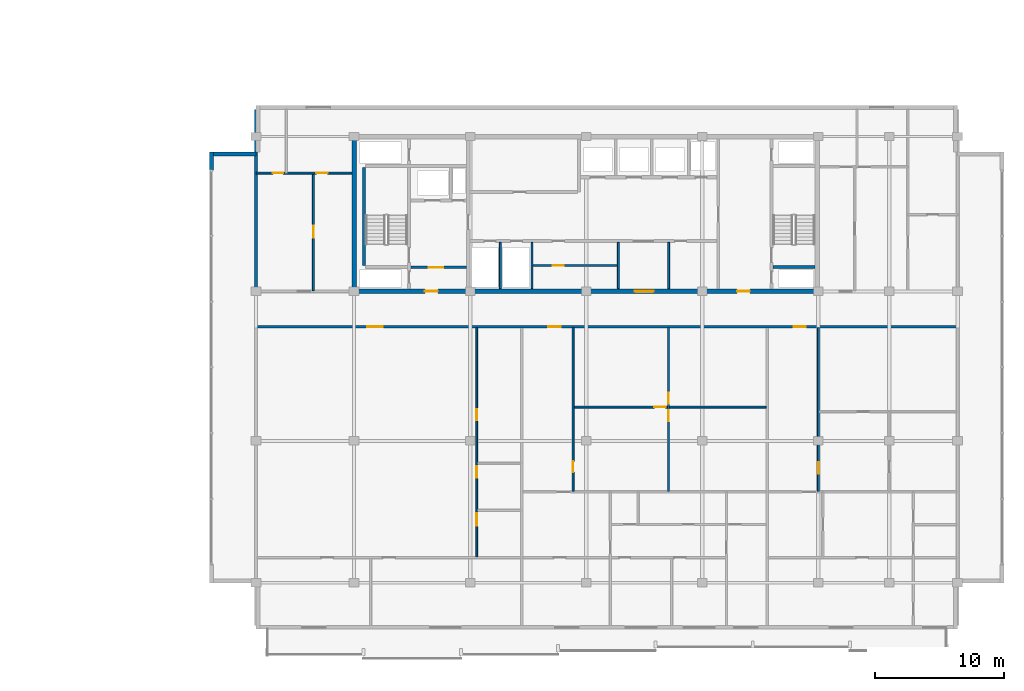
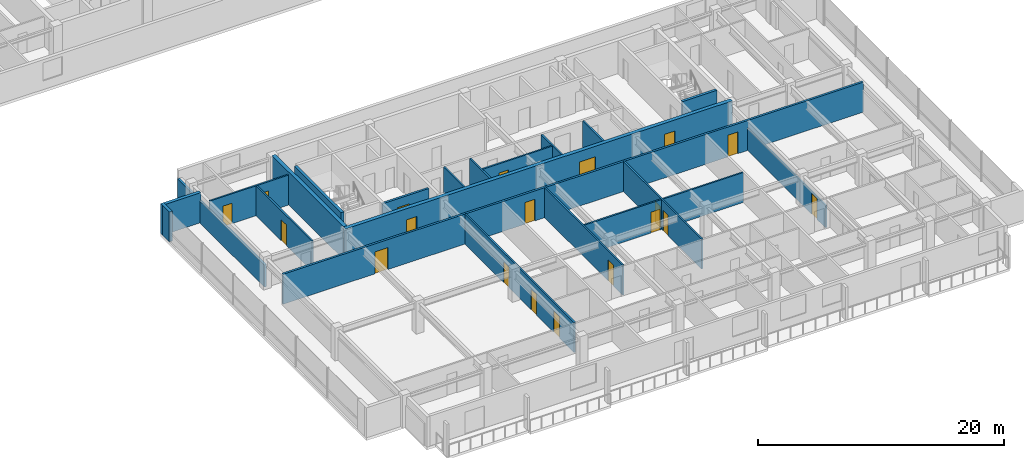
# One storey, part 14 of 30: 21 walls, 19 doors, 19 openings.
"""IFC4 building model written with IfcOpenShell, lengths in metres."""

from ifc_helpers import new_model, si_unit, direction, frame, frame_2d, origin, place, context, subcontext, project, spatial, rectangle, extrude, material, layer, layer_set, type_object, element, fill, save


model = new_model("IFC4")

# Units and contexts
model_context = context("Model", 3, precision=1e-05, world=origin(), true_north=direction((0.0, 1.0)))
body_context = subcontext(model_context, "Body", "Model", "MODEL_VIEW")
ifc_project = project(units=[si_unit("LENGTHUNIT", "METRE"), si_unit("AREAUNIT", "SQUARE_METRE"), si_unit("VOLUMEUNIT", "CUBIC_METRE"), si_unit("PLANEANGLEUNIT", "RADIAN"), si_unit("MASSUNIT", "GRAM", prefix="KILO")], contexts=[model_context])

# Site, building, storey
site_placement = place(None, origin())
site = spatial("IfcSite", under=ifc_project, at=site_placement, CompositionType="ELEMENT")
building_placement = place(site_placement, origin())
building = spatial("IfcBuilding", under=site, at=building_placement, Name="Korimba Cascade Residences", CompositionType="ELEMENT")
storey_placement = place(building_placement, frame((0.0, 0.0, 201.10009765625)))
storey = spatial("IfcBuildingStorey", under=building, at=storey_placement, Name="L58", CompositionType="ELEMENT", Elevation=201.10009765625)

# Walls
ifc_material_1 = material(Name="Precast concrete C40/50", Category="concrete")
ifc_layer_1 = layer(ifc_material_1, 0.300048828125)
ifc_layer_set_1 = layer_set([ifc_layer_1], Name="Precast concrete C40/50")
wall_type_1 = type_object("IfcWallType", Name="EW-STONE-300", PredefinedType="STANDARD", material=ifc_layer_set_1)
wall_1_placement = place(storey_placement, frame((74.5, 29.050048828125, 0.0), z_axis=(0.0, 0.0, 1.0), x_axis=(-1.0, 0.0, 0.0)))
element("IfcWall", 1, at=wall_1_placement, inside=storey, type_object=wall_type_1, Name="L58 T2 Perimeter Stone Wall E08", PredefinedType="STANDARD", context=body_context, shape_type="SweptSolid", body=[
    extrude(rectangle(XDim=3.60009765625, YDim=0.300048828125, at=frame_2d((1.800048828125, 0.0))), origin(), (0.0, 0.0, 1.0), 2.969970703125),
])
wall_2_placement = place(storey_placement, frame((71.050048828125, 29.199951171875, 0.0), z_axis=(0.0, 0.0, 1.0), x_axis=(0.0, -1.0, 0.0)))
element("IfcWall", 2, at=wall_2_placement, inside=storey, type_object=wall_type_1, Name="L58 T2 Sky Pier 9A", PredefinedType="STANDARD", context=body_context, shape_type="SweptSolid", body=[
    extrude(rectangle(XDim=1.39990234375, YDim=0.300048828125, at=frame_2d((0.699951171875, 0.0))), origin(), (0.0, 0.0, 1.0), 2.969970703125),
])
ifc_material_2 = material(Name="Concrete C65/80", Category="concrete")
ifc_layer_2 = layer(ifc_material_2, 0.35009765625)
ifc_layer_set_2 = layer_set([ifc_layer_2], Name="Concrete C65/80")
wall_type_2 = type_object("IfcWallType", Name="WAL-CORE-350", PredefinedType="SHEAR", material=ifc_layer_set_2)
wall_3_placement = place(storey_placement, frame((82.10009765625, 18.574951171875, 0.0), z_axis=(0.0, 0.0, 1.0), x_axis=(0.0, 1.0, 0.0)))
element("IfcWall", 3, at=wall_3_placement, inside=storey, type_object=wall_type_2, Name="L58 Core Shear Wall CW-L58-T2-W", PredefinedType="SHEAR", context=body_context, shape_type="SweptSolid", body=[
    extrude(rectangle(XDim=11.650146484375, YDim=0.35009765625, at=frame_2d((5.8251953125, 0.0))), origin(), (0.0, 0.0, 1.0), 3.25),
])

# Wall, openings, doors
wall_4_placement = place(storey_placement, frame((81.925048828125, 18.39990234375, 0.0), z_axis=(0.0, 0.0, 1.0), x_axis=(1.0, 0.0, 0.0)))
wall_4 = element("IfcWall", 4, at=wall_4_placement, inside=storey, type_object=wall_type_2, Name="L58 Core Shear Wall CW-L58-T2-S", PredefinedType="SHEAR", context=body_context, shape_type="SweptSolid", body=[
    extrude(rectangle(XDim=36.264892578125, YDim=0.35009765625, at=frame_2d((18.13232421875, 0.0))), origin(), (0.0, 0.0, 1.0), 3.25),
])
opening_1_placement = place(wall_4_placement, frame((5.675048828125, 0.0, 0.0)))
opening_1 = element("IfcOpeningElement", 5, at=opening_1_placement, cuts=wall_4, Name="Opening D-FD5", PredefinedType="OPENING", context=body_context, shape_type="SweptSolid", body=[
    extrude(rectangle(XDim=1.0, YDim=2.14990234375, at=frame_2d((0.5, 1.074951171875))), frame((0.0, 0.18505859375, 0.0), z_axis=(0.0, -1.0, 0.0), x_axis=(1.0, 0.0, 0.0)), (0.0, 0.0, 1.0), 0.3701171875),
])
opening_2_placement = place(wall_4_placement, frame((21.925048828125, 0.0, 0.0)))
opening_2 = element("IfcOpeningElement", 6, at=opening_2_placement, cuts=wall_4, Name="Opening D-FD8", PredefinedType="OPENING", context=body_context, shape_type="SweptSolid", body=[
    extrude(rectangle(XDim=1.5, YDim=2.199951171875, at=frame_2d((0.75, 1.10009765625))), frame((0.0, 0.18505859375, 0.0), z_axis=(0.0, -1.0, 0.0), x_axis=(1.0, 0.0, 0.0)), (0.0, 0.0, 1.0), 0.3701171875),
])
opening_3_placement = place(wall_4_placement, frame((29.875, 0.0, 0.0)))
opening_3 = element("IfcOpeningElement", 7, at=opening_3_placement, cuts=wall_4, Name="Opening D-FD5", PredefinedType="OPENING", context=body_context, shape_type="SweptSolid", body=[
    extrude(rectangle(XDim=1.0, YDim=2.14990234375, at=frame_2d((0.5, 1.074951171875))), frame((0.0, 0.18505859375, 0.0), z_axis=(0.0, -1.0, 0.0), x_axis=(1.0, 0.0, 0.0)), (0.0, 0.0, 1.0), 0.3701171875),
])
ifc_material_3 = material(Name="Fire-Rated Acoustic Timber Vestibule Door", Category="wood")
door_type_1 = type_object("IfcDoorType", Name="DR-FD90-1000", OperationType="NOTDEFINED", PredefinedType="DOOR", material=ifc_material_3)
door_1_placement = place(opening_1_placement, origin())
door_1 = element("IfcDoor", 8, at=door_1_placement, inside=storey, type_object=door_type_1, Name="L58 T2 West Core Vestibule Fire Door", OperationType="SINGLE_SWING_LEFT", OverallHeight=2.14990234375, OverallWidth=1.0, PredefinedType="DOOR", context=body_context, shape_type="SweptSolid", body=[
    extrude(rectangle(XDim=1.0, YDim=2.14990234375, at=frame_2d((0.5, 1.074951171875))), frame((0.0, 0.02490234375, 0.0), z_axis=(0.0, -1.0, 0.0), x_axis=(1.0, 0.0, 0.0)), (0.0, 0.0, 1.0), 0.050048828125),
])
fill(opening_1, door_1)
door_2_placement = place(opening_3_placement, origin())
door_2 = element("IfcDoor", 9, at=door_2_placement, inside=storey, type_object=door_type_1, Name="L58 T2 East Stair Vestibule Fire Door", OperationType="SINGLE_SWING_RIGHT", OverallHeight=2.14990234375, OverallWidth=1.0, PredefinedType="DOOR", context=body_context, shape_type="SweptSolid", body=[
    extrude(rectangle(XDim=1.0, YDim=2.14990234375, at=frame_2d((0.5, 1.074951171875))), frame((0.0, 0.02490234375, 0.0), z_axis=(0.0, -1.0, 0.0), x_axis=(1.0, 0.0, 0.0)), (0.0, 0.0, 1.0), 0.050048828125),
])
fill(opening_3, door_2)
ifc_material_4 = material(Name="Fire-Rated Glazed Lift Lobby Double Door", Category="glass")
door_type_2 = type_object("IfcDoorType", Name="DR-FD90-1500", OperationType="NOTDEFINED", PredefinedType="DOOR", material=ifc_material_4)
door_3_placement = place(opening_2_placement, origin())
door_3 = element("IfcDoor", 10, at=door_3_placement, inside=storey, type_object=door_type_2, Name="L58 T2 Lift Lobby Fire Door", OperationType="DOUBLE_DOOR_SINGLE_SWING", OverallHeight=2.199951171875, OverallWidth=1.5, PredefinedType="DOOR", context=body_context, shape_type="SweptSolid", body=[
    extrude(rectangle(XDim=1.5, YDim=2.199951171875, at=frame_2d((0.75, 1.10009765625))), frame((0.0, 0.02490234375, 0.0), z_axis=(0.0, -1.0, 0.0), x_axis=(1.0, 0.0, 0.0)), (0.0, 0.0, 1.0), 0.050048828125),
])
fill(opening_2, door_3)

# Wall
ifc_layer_3 = layer(ifc_material_1, 0.199951171875)
ifc_layer_set_3 = layer_set([ifc_layer_3], Name="Precast concrete C40/50")
wall_type_3 = type_object("IfcWallType", Name="WAL-IT-200", PredefinedType="PARTITIONING", material=ifc_layer_set_3)
wall_5_placement = place(storey_placement, frame((74.5, 18.39990234375, 0.0), z_axis=(0.0, 0.0, 1.0), x_axis=(0.0, 1.0, 0.0)))
element("IfcWall", 11, at=wall_5_placement, inside=storey, type_object=wall_type_3, Name="L58 Partition Wall WAL-L58-T2-FW-WL", PredefinedType="PARTITIONING", context=body_context, shape_type="SweptSolid", body=[
    extrude(rectangle(XDim=14.10009765625, YDim=0.199951171875, at=frame_2d((7.050048828125, 0.0))), origin(), (0.0, 0.0, 1.0), 2.2001953125),
])

# Wall, openings, doors
wall_6_placement = place(storey_placement, frame((74.5, 15.64990234375, 0.0), z_axis=(0.0, 0.0, 1.0), x_axis=(1.0, 0.0, 0.0)))
wall_6 = element("IfcWall", 12, at=wall_6_placement, inside=storey, type_object=wall_type_3, Name="L58 Partition Wall WAL-L58-T2-CORS", PredefinedType="PARTITIONING", context=body_context, shape_type="SweptSolid", body=[
    extrude(rectangle(XDim=54.39990234375, YDim=0.199951171875, at=frame_2d((27.199951171875, 0.0))), origin(), (0.0, 0.0, 1.0), 2.969970703125),
])
opening_4_placement = place(wall_6_placement, frame((8.618408203125, 0.0, 0.0)))
opening_4 = element("IfcOpeningElement", 13, at=opening_4_placement, cuts=wall_6, Name="Opening D-AM1", PredefinedType="OPENING", context=body_context, shape_type="SweptSolid", body=[
    extrude(rectangle(XDim=1.219970703125, YDim=2.179931640625, at=frame_2d((0.60986328125, 1.08984375))), frame((0.0, 0.10986328125, 0.0), z_axis=(0.0, -1.0, 0.0), x_axis=(1.0, 0.0, 0.0)), (0.0, 0.0, 1.0), 0.219970703125),
])
opening_5_placement = place(wall_6_placement, frame((22.66162109375, 0.0, 0.0)))
opening_5 = element("IfcOpeningElement", 14, at=opening_5_placement, cuts=wall_6, Name="Opening D-UN1", PredefinedType="OPENING", context=body_context, shape_type="SweptSolid", body=[
    extrude(rectangle(XDim=0.949951171875, YDim=2.14990234375, at=frame_2d((0.47509765625, 1.074951171875))), frame((0.0, 0.10986328125, 0.0), z_axis=(0.0, -1.0, 0.0), x_axis=(1.0, 0.0, 0.0)), (0.0, 0.0, 1.0), 0.219970703125),
])
opening_6_placement = place(wall_6_placement, frame((41.686767578125, 0.0, 0.0)))
opening_6 = element("IfcOpeningElement", 15, at=opening_6_placement, cuts=wall_6, Name="Opening D-UN1", PredefinedType="OPENING", context=body_context, shape_type="SweptSolid", body=[
    extrude(rectangle(XDim=0.949951171875, YDim=2.14990234375, at=frame_2d((0.47509765625, 1.074951171875))), frame((0.0, 0.10986328125, 0.0), z_axis=(0.0, -1.0, 0.0), x_axis=(1.0, 0.0, 0.0)), (0.0, 0.0, 1.0), 0.219970703125),
])
ifc_material_5 = material(Name="Fire-Rated Glazed Timber Suite Door", Category="wood")
door_type_3 = type_object("IfcDoorType", Name="DR-FD60-1200", OperationType="NOTDEFINED", PredefinedType="DOOR", material=ifc_material_5)
door_4_placement = place(opening_4_placement, origin())
door_4 = element("IfcDoor", 16, at=door_4_placement, inside=storey, type_object=door_type_3, Name="L58-T2-U01 Promenade Design Showroom Door", OperationType="SINGLE_SWING_LEFT", OverallHeight=2.179931640625, OverallWidth=1.219970703125, PredefinedType="DOOR", context=body_context, shape_type="SweptSolid", body=[
    extrude(rectangle(XDim=1.219970703125, YDim=2.179931640625, at=frame_2d((0.60986328125, 1.08984375))), frame((0.0, 0.02490234375, 0.0), z_axis=(0.0, -1.0, 0.0), x_axis=(1.0, 0.0, 0.0)), (0.0, 0.0, 1.0), 0.050048828125),
])
fill(opening_4, door_4)
ifc_material_6 = material(Name="Fire-Rated Hardwood Apartment Entrance Door", Category="wood")
door_type_4 = type_object("IfcDoorType", Name="DR-FD60-950", OperationType="NOTDEFINED", PredefinedType="DOOR", material=ifc_material_6)
door_5_placement = place(opening_5_placement, origin())
door_5 = element("IfcDoor", 17, at=door_5_placement, inside=storey, type_object=door_type_4, Name="Unit L58-T2-U02 Entrance Door", OperationType="SINGLE_SWING_RIGHT", OverallHeight=2.14990234375, OverallWidth=0.949951171875, PredefinedType="DOOR", context=body_context, shape_type="SweptSolid", body=[
    extrude(rectangle(XDim=0.949951171875, YDim=2.14990234375, at=frame_2d((0.47509765625, 1.074951171875))), frame((0.0, 0.02490234375, 0.0), z_axis=(0.0, -1.0, 0.0), x_axis=(1.0, 0.0, 0.0)), (0.0, 0.0, 1.0), 0.050048828125),
])
fill(opening_5, door_5)
door_6_placement = place(opening_6_placement, origin())
door_6 = element("IfcDoor", 18, at=door_6_placement, inside=storey, type_object=door_type_4, Name="Unit L58-T2-U03 Entrance Door", OperationType="SINGLE_SWING_LEFT", OverallHeight=2.14990234375, OverallWidth=0.949951171875, PredefinedType="DOOR", context=body_context, shape_type="SweptSolid", body=[
    extrude(rectangle(XDim=0.949951171875, YDim=2.14990234375, at=frame_2d((0.47509765625, 1.074951171875))), frame((0.0, 0.02490234375, 0.0), z_axis=(0.0, -1.0, 0.0), x_axis=(1.0, 0.0, 0.0)), (0.0, 0.0, 1.0), 0.050048828125),
])
fill(opening_6, door_6)

# Walls
ifc_material_7 = material(Name="Insulated Acoustic Stud Partition", Category="gypsum")
ifc_layer_4 = layer(ifc_material_7, 0.14990234375)
ifc_layer_set_4 = layer_set([ifc_layer_4], Name="Insulated Acoustic Stud Partition")
wall_type_4 = type_object("IfcWallType", Name="WAL-PART-150", PredefinedType="PARTITIONING", material=ifc_layer_set_4)
for number, where, z_axis, x_axis, name in (
    (19, (93.449951171875, 18.60009765625, 0.0), (0.0, 0.0, 1.0), (0.0, 1.0, 0.0), "L58 Partition Wall CW-L58-T2-ERDIV"),
    (20, (95.89990234375, 18.60009765625, 0.0), (0.0, 0.0, 1.0), (0.0, 1.0, 0.0), "L58 Partition Wall CW-L58-T2-PRDIV"),
):
    element("IfcWall", number, at=place(storey_placement, frame(where, z_axis=z_axis, x_axis=x_axis)), inside=storey, type_object=wall_type_4, Name=name, PredefinedType="PARTITIONING", context=body_context, shape_type="SweptSolid", body=[
        extrude(rectangle(XDim=3.599853515625, YDim=0.14990234375, at=frame_2d((1.7998046875, 0.0))), origin(), (0.0, 0.0, 1.0), 2.969970703125),
    ])

# Wall, opening, door
wall_7_placement = place(storey_placement, frame((95.89990234375, 20.39990234375, 0.0), z_axis=(0.0, 0.0, 1.0), x_axis=(1.0, 0.0, 0.0)))
wall_7 = element("IfcWall", 21, at=wall_7_placement, inside=storey, type_object=wall_type_4, Name="L58 Partition Wall CW-L58-T2-CA2HZ", PredefinedType="PARTITIONING", context=body_context, shape_type="SweptSolid", body=[
    extrude(rectangle(XDim=6.7001953125, YDim=0.14990234375, at=frame_2d((3.35009765625, 0.0))), origin(), (0.0, 0.0, 1.0), 2.969970703125),
])
opening_7_placement = place(wall_7_placement, frame((1.60009765625, 0.0, 0.0)))
opening_7 = element("IfcOpeningElement", 22, at=opening_7_placement, cuts=wall_7, Name="Opening D-IN2", PredefinedType="OPENING", context=body_context, shape_type="SweptSolid", body=[
    extrude(rectangle(XDim=0.8798828125, YDim=2.06005859375, at=frame_2d((0.43994140625, 1.030029296875))), frame((0.0, 0.0849609375, 0.0), z_axis=(0.0, -1.0, 0.0), x_axis=(1.0, 0.0, 0.0)), (0.0, 0.0, 1.0), 0.169921875),
])
ifc_material_8 = material(Name="Acoustic Timber Bedroom Door", Category="wood")
door_type_5 = type_object("IfcDoorType", Name="DR-INT-880", OperationType="NOTDEFINED", PredefinedType="DOOR", material=ifc_material_8)
door_7_placement = place(opening_7_placement, origin())
door_7 = element("IfcDoor", 23, at=door_7_placement, inside=storey, type_object=door_type_5, Name="L58 T2 Pram Store Door", OperationType="SINGLE_SWING_LEFT", OverallHeight=2.06005859375, OverallWidth=0.8798828125, PredefinedType="DOOR", context=body_context, shape_type="SweptSolid", body=[
    extrude(rectangle(XDim=0.8798828125, YDim=2.06005859375, at=frame_2d((0.43994140625, 1.030029296875))), frame((0.0, 0.02490234375, 0.0), z_axis=(0.0, -1.0, 0.0), x_axis=(1.0, 0.0, 0.0)), (0.0, 0.0, 1.0), 0.050048828125),
])
fill(opening_7, door_7)

# Walls
for number, where, z_axis, x_axis, name in (
    (24, (102.60009765625, 18.60009765625, 0.0), (0.0, 0.0, 1.0), (0.0, 1.0, 0.0), "L58 Partition Wall CW-L58-T2-THW"),
    (25, (106.5, 18.60009765625, 0.0), (0.0, 0.0, 1.0), (0.0, 1.0, 0.0), "L58 Partition Wall CW-L58-T2-THE"),
):
    element("IfcWall", number, at=place(storey_placement, frame(where, z_axis=z_axis, x_axis=x_axis)), inside=storey, type_object=wall_type_4, Name=name, PredefinedType="PARTITIONING", context=body_context, shape_type="SweptSolid", body=[
        extrude(rectangle(XDim=3.599853515625, YDim=0.14990234375, at=frame_2d((1.7998046875, 0.0))), origin(), (0.0, 0.0, 1.0), 2.969970703125),
    ])

# Wall, opening, door
wall_8_placement = place(storey_placement, frame((78.945068359375, 18.449951171875, 0.0), z_axis=(0.0, 0.0, 1.0), x_axis=(0.0, 1.0, 0.0)))
wall_8 = element("IfcWall", 26, at=wall_8_placement, inside=storey, type_object=wall_type_4, Name="L58 Partition Wall WAL-L58-T2-FW-VS", PredefinedType="PARTITIONING", context=body_context, shape_type="SweptSolid", body=[
    extrude(rectangle(XDim=9.1201171875, YDim=0.14990234375, at=frame_2d((4.56005859375, 0.0))), origin(), (0.0, 0.0, 1.0), 2.969970703125),
])
opening_8_placement = place(wall_8_placement, frame((4.10009765625, 0.0, 0.0)))
opening_8 = element("IfcOpeningElement", 27, at=opening_8_placement, cuts=wall_8, Name="Opening D-IN1", PredefinedType="OPENING", context=body_context, shape_type="SweptSolid", body=[
    extrude(rectangle(XDim=0.919921875, YDim=2.080078125, at=frame_2d((0.4599609375, 1.0400390625))), frame((0.0, 0.0849609375, 0.0), z_axis=(0.0, -1.0, 0.0), x_axis=(1.0, 0.0, 0.0)), (0.0, 0.0, 1.0), 0.169921875),
])
ifc_material_9 = material(Name="Acoustic Timber Living Door", Category="wood")
door_type_6 = type_object("IfcDoorType", Name="DR-INT-920", OperationType="NOTDEFINED", PredefinedType="DOOR", material=ifc_material_9)
door_8_placement = place(opening_8_placement, origin())
door_8 = element("IfcDoor", 28, at=door_8_placement, inside=storey, type_object=door_type_6, Name="L58-T2-FW Living Door", OperationType="SINGLE_SWING_RIGHT", OverallHeight=2.080078125, OverallWidth=0.919921875, PredefinedType="DOOR", context=body_context, shape_type="SweptSolid", body=[
    extrude(rectangle(XDim=0.919921875, YDim=2.080078125, at=frame_2d((0.4599609375, 1.0400390625))), frame((0.0, 0.02490234375, 0.0), z_axis=(0.0, -1.0, 0.0), x_axis=(1.0, 0.0, 0.0)), (0.0, 0.0, 1.0), 0.050048828125),
])
fill(opening_8, door_8)

# Wall, openings, doors
wall_9_placement = place(storey_placement, frame((74.52001953125, 27.570068359375, 0.0), z_axis=(0.0, 0.0, 1.0), x_axis=(1.0, 0.0, 0.0)))
wall_9 = element("IfcWall", 29, at=wall_9_placement, inside=storey, type_object=wall_type_4, Name="L58 Partition Wall WAL-L58-T2-FW-H", PredefinedType="PARTITIONING", context=body_context, shape_type="SweptSolid", body=[
    extrude(rectangle(XDim=7.409912109375, YDim=0.14990234375, at=frame_2d((3.705078125, 0.0))), origin(), (0.0, 0.0, 1.0), 2.969970703125),
])
opening_9_placement = place(wall_9_placement, frame((1.266357421875, 0.0, 0.0)))
opening_9 = element("IfcOpeningElement", 30, at=opening_9_placement, cuts=wall_9, Name="Opening D-BT1", PredefinedType="OPENING", context=body_context, shape_type="SweptSolid", body=[
    extrude(rectangle(XDim=0.840087890625, YDim=2.0400390625, at=frame_2d((0.419921875, 1.02001953125))), frame((0.0, 0.0849609375, 0.0), z_axis=(0.0, -1.0, 0.0), x_axis=(1.0, 0.0, 0.0)), (0.0, 0.0, 1.0), 0.169921875),
])
opening_10_placement = place(wall_9_placement, frame((4.64501953125, 0.0, 0.0)))
opening_10 = element("IfcOpeningElement", 31, at=opening_10_placement, cuts=wall_9, Name="Opening D-IN2", PredefinedType="OPENING", context=body_context, shape_type="SweptSolid", body=[
    extrude(rectangle(XDim=0.8798828125, YDim=2.06005859375, at=frame_2d((0.43994140625, 1.030029296875))), frame((0.0, 0.0849609375, 0.0), z_axis=(0.0, -1.0, 0.0), x_axis=(1.0, 0.0, 0.0)), (0.0, 0.0, 1.0), 0.169921875),
])
ifc_material_10 = material(Name="Moisture-Resistant Bathroom Timber Door", Category="wood")
door_type_7 = type_object("IfcDoorType", Name="DR-INT-850", OperationType="NOTDEFINED", PredefinedType="DOOR", material=ifc_material_10)
door_9_placement = place(opening_9_placement, origin())
door_9 = element("IfcDoor", 32, at=door_9_placement, inside=storey, type_object=door_type_7, Name="L58-T2-FW Bathroom Door", OperationType="SINGLE_SWING_LEFT", OverallHeight=2.0400390625, OverallWidth=0.840087890625, PredefinedType="DOOR", context=body_context, shape_type="SweptSolid", body=[
    extrude(rectangle(XDim=0.840087890625, YDim=2.0400390625, at=frame_2d((0.419921875, 1.02001953125))), frame((0.0, 0.02490234375, 0.0), z_axis=(0.0, -1.0, 0.0), x_axis=(1.0, 0.0, 0.0)), (0.0, 0.0, 1.0), 0.050048828125),
])
fill(opening_9, door_9)
door_10_placement = place(opening_10_placement, origin())
door_10 = element("IfcDoor", 33, at=door_10_placement, inside=storey, type_object=door_type_5, Name="L58-T2-FW Bedroom Door", OperationType="SINGLE_SWING_RIGHT", OverallHeight=2.06005859375, OverallWidth=0.8798828125, PredefinedType="DOOR", context=body_context, shape_type="SweptSolid", body=[
    extrude(rectangle(XDim=0.8798828125, YDim=2.06005859375, at=frame_2d((0.43994140625, 1.030029296875))), frame((0.0, 0.02490234375, 0.0), z_axis=(0.0, -1.0, 0.0), x_axis=(1.0, 0.0, 0.0)), (0.0, 0.0, 1.0), 0.050048828125),
])
fill(opening_10, door_10)

wall_10_placement = place(storey_placement, frame((91.61669921875, -2.18994140625, 0.0), z_axis=(0.0, 0.0, 1.0), x_axis=(0.0, 1.0, 0.0)))
wall_10 = element("IfcWall", 34, at=wall_10_placement, inside=storey, type_object=wall_type_4, Name="L58 Partition Wall WAL-L58-T2-U01-WCV", PredefinedType="PARTITIONING", context=body_context, shape_type="SweptSolid", body=[
    extrude(rectangle(XDim=17.780029296875, YDim=0.14990234375, at=frame_2d((8.89013671875, 0.0))), origin(), (0.0, 0.0, 1.0), 2.969970703125),
])
opening_11_placement = place(wall_10_placement, frame((2.406005859375, 0.0, 0.0)))
opening_11 = element("IfcOpeningElement", 35, at=opening_11_placement, cuts=wall_10, Name="Opening D-AC1", PredefinedType="OPENING", context=body_context, shape_type="SweptSolid", body=[
    extrude(rectangle(XDim=0.9599609375, YDim=2.10009765625, at=frame_2d((0.47998046875, 1.050048828125))), frame((0.0, 0.0849609375, 0.0), z_axis=(0.0, -1.0, 0.0), x_axis=(1.0, 0.0, 0.0)), (0.0, 0.0, 1.0), 0.169921875),
])
opening_12_placement = place(wall_10_placement, frame((6.132568359375, 0.0, 0.0)))
opening_12 = element("IfcOpeningElement", 36, at=opening_12_placement, cuts=wall_10, Name="Opening D-IN2", PredefinedType="OPENING", context=body_context, shape_type="SweptSolid", body=[
    extrude(rectangle(XDim=0.8798828125, YDim=2.06005859375, at=frame_2d((0.43994140625, 1.030029296875))), frame((0.0, 0.0849609375, 0.0), z_axis=(0.0, -1.0, 0.0), x_axis=(1.0, 0.0, 0.0)), (0.0, 0.0, 1.0), 0.169921875),
])
opening_13_placement = place(wall_10_placement, frame((10.5947265625, 0.0, 0.0)))
opening_13 = element("IfcOpeningElement", 37, at=opening_13_placement, cuts=wall_10, Name="Opening D-BT1", PredefinedType="OPENING", context=body_context, shape_type="SweptSolid", body=[
    extrude(rectangle(XDim=0.840087890625, YDim=2.0400390625, at=frame_2d((0.419921875, 1.02001953125))), frame((0.0, 0.0849609375, 0.0), z_axis=(0.0, -1.0, 0.0), x_axis=(1.0, 0.0, 0.0)), (0.0, 0.0, 1.0), 0.169921875),
])
ifc_material_11 = material(Name="Accessible Acoustic Timber WC Door", Category="wood")
door_type_8 = type_object("IfcDoorType", Name="DR-ACC-950", OperationType="NOTDEFINED", PredefinedType="DOOR", material=ifc_material_11)
door_11_placement = place(opening_11_placement, origin())
door_11 = element("IfcDoor", 38, at=door_11_placement, inside=storey, type_object=door_type_8, Name="L58-T2-U01 Accessible WC Door", OperationType="SINGLE_SWING_RIGHT", OverallHeight=2.10009765625, OverallWidth=0.9599609375, PredefinedType="DOOR", context=body_context, shape_type="SweptSolid", body=[
    extrude(rectangle(XDim=0.9599609375, YDim=2.10009765625, at=frame_2d((0.47998046875, 1.050048828125))), frame((0.0, 0.02490234375, 0.0), z_axis=(0.0, -1.0, 0.0), x_axis=(1.0, 0.0, 0.0)), (0.0, 0.0, 1.0), 0.050048828125),
])
fill(opening_11, door_11)
door_12_placement = place(opening_13_placement, origin())
door_12 = element("IfcDoor", 39, at=door_12_placement, inside=storey, type_object=door_type_7, Name="L58-T2-U01 Suite Store Door", OperationType="SINGLE_SWING_RIGHT", OverallHeight=2.0400390625, OverallWidth=0.840087890625, PredefinedType="DOOR", context=body_context, shape_type="SweptSolid", body=[
    extrude(rectangle(XDim=0.840087890625, YDim=2.0400390625, at=frame_2d((0.419921875, 1.02001953125))), frame((0.0, 0.02490234375, 0.0), z_axis=(0.0, -1.0, 0.0), x_axis=(1.0, 0.0, 0.0)), (0.0, 0.0, 1.0), 0.050048828125),
])
fill(opening_13, door_12)
door_13_placement = place(opening_12_placement, origin())
door_13 = element("IfcDoor", 40, at=door_13_placement, inside=storey, type_object=door_type_5, Name="L58-T2-U01 Restroom WC Door", OperationType="SINGLE_SWING_LEFT", OverallHeight=2.06005859375, OverallWidth=0.8798828125, PredefinedType="DOOR", context=body_context, shape_type="SweptSolid", body=[
    extrude(rectangle(XDim=0.8798828125, YDim=2.06005859375, at=frame_2d((0.43994140625, 1.030029296875))), frame((0.0, 0.02490234375, 0.0), z_axis=(0.0, -1.0, 0.0), x_axis=(1.0, 0.0, 0.0)), (0.0, 0.0, 1.0), 0.050048828125),
])
fill(opening_12, door_13)

wall_11_placement = place(storey_placement, frame((106.484130859375, 2.889892578125, 0.0), z_axis=(0.0, 0.0, 1.0), x_axis=(0.0, 1.0, 0.0)))
wall_11 = element("IfcWall", 41, at=wall_11_placement, inside=storey, type_object=wall_type_4, Name="L58 Partition Wall WAL-L58-T2-U02-FMV", PredefinedType="PARTITIONING", context=body_context, shape_type="SweptSolid", body=[
    extrude(rectangle(XDim=12.7001953125, YDim=0.14990234375, at=frame_2d((6.35009765625, 0.0))), origin(), (0.0, 0.0, 1.0), 2.969970703125),
])
opening_14_placement = place(wall_11_placement, frame((5.43994140625, 0.0, 0.0)))
opening_14 = element("IfcOpeningElement", 42, at=opening_14_placement, cuts=wall_11, Name="Opening D-BT1", PredefinedType="OPENING", context=body_context, shape_type="SweptSolid", body=[
    extrude(rectangle(XDim=0.840087890625, YDim=2.0400390625, at=frame_2d((0.419921875, 1.02001953125))), frame((0.0, 0.0849609375, 0.0), z_axis=(0.0, -1.0, 0.0), x_axis=(1.0, 0.0, 0.0)), (0.0, 0.0, 1.0), 0.169921875),
])
opening_15_placement = place(wall_11_placement, frame((6.780029296875, 0.0, 0.0)))
opening_15 = element("IfcOpeningElement", 43, at=opening_15_placement, cuts=wall_11, Name="Opening D-IN2", PredefinedType="OPENING", context=body_context, shape_type="SweptSolid", body=[
    extrude(rectangle(XDim=0.8798828125, YDim=2.06005859375, at=frame_2d((0.43994140625, 1.030029296875))), frame((0.0, 0.0849609375, 0.0), z_axis=(0.0, -1.0, 0.0), x_axis=(1.0, 0.0, 0.0)), (0.0, 0.0, 1.0), 0.169921875),
])
door_14_placement = place(opening_14_placement, origin())
door_14 = element("IfcDoor", 44, at=door_14_placement, inside=storey, type_object=door_type_7, Name="L58-T2-U02 Wardrobe Door", OperationType="SINGLE_SWING_LEFT", OverallHeight=2.0400390625, OverallWidth=0.840087890625, PredefinedType="DOOR", context=body_context, shape_type="SweptSolid", body=[
    extrude(rectangle(XDim=0.840087890625, YDim=2.0400390625, at=frame_2d((0.419921875, 1.02001953125))), frame((0.0, 0.02490234375, 0.0), z_axis=(0.0, -1.0, 0.0), x_axis=(1.0, 0.0, 0.0)), (0.0, 0.0, 1.0), 0.050048828125),
])
fill(opening_14, door_14)
door_15_placement = place(opening_15_placement, origin())
door_15 = element("IfcDoor", 45, at=door_15_placement, inside=storey, type_object=door_type_5, Name="L58-T2-U02 Music Lounge Door", OperationType="SINGLE_SWING_RIGHT", OverallHeight=2.06005859375, OverallWidth=0.8798828125, PredefinedType="DOOR", context=body_context, shape_type="SweptSolid", body=[
    extrude(rectangle(XDim=0.8798828125, YDim=2.06005859375, at=frame_2d((0.43994140625, 1.030029296875))), frame((0.0, 0.02490234375, 0.0), z_axis=(0.0, -1.0, 0.0), x_axis=(1.0, 0.0, 0.0)), (0.0, 0.0, 1.0), 0.050048828125),
])
fill(opening_15, door_15)

# Wall, opening, door
wall_12_placement = place(storey_placement, frame((99.146728515625, 9.419921875, 0.0), z_axis=(0.0, 0.0, 1.0), x_axis=(1.0, 0.0, 0.0)))
wall_12 = element("IfcWall", 46, at=wall_12_placement, inside=storey, type_object=wall_type_4, Name="L58 Partition Wall WAL-L58-T2-U02-FMH", PredefinedType="PARTITIONING", context=body_context, shape_type="SweptSolid", body=[
    extrude(rectangle(XDim=14.9150390625, YDim=0.14990234375, at=frame_2d((7.45751953125, 0.0))), origin(), (0.0, 0.0, 1.0), 2.969970703125),
])
opening_16_placement = place(wall_12_placement, frame((6.237548828125, 0.0, 0.0)))
opening_16 = element("IfcOpeningElement", 47, at=opening_16_placement, cuts=wall_12, Name="Opening D-IN2", PredefinedType="OPENING", context=body_context, shape_type="SweptSolid", body=[
    extrude(rectangle(XDim=0.8798828125, YDim=2.06005859375, at=frame_2d((0.43994140625, 1.030029296875))), frame((0.0, 0.0849609375, 0.0), z_axis=(0.0, -1.0, 0.0), x_axis=(1.0, 0.0, 0.0)), (0.0, 0.0, 1.0), 0.169921875),
])
door_16_placement = place(opening_16_placement, origin())
door_16 = element("IfcDoor", 48, at=door_16_placement, inside=storey, type_object=door_type_5, Name="L58-T2-U02 Library Salon Door", OperationType="SINGLE_SWING_LEFT", OverallHeight=2.06005859375, OverallWidth=0.8798828125, PredefinedType="DOOR", context=body_context, shape_type="SweptSolid", body=[
    extrude(rectangle(XDim=0.8798828125, YDim=2.06005859375, at=frame_2d((0.43994140625, 1.030029296875))), frame((0.0, 0.02490234375, 0.0), z_axis=(0.0, -1.0, 0.0), x_axis=(1.0, 0.0, 0.0)), (0.0, 0.0, 1.0), 0.050048828125),
])
fill(opening_16, door_16)

wall_13_placement = place(storey_placement, frame((99.086669921875, 2.889892578125, 0.0), z_axis=(0.0, 0.0, 1.0), x_axis=(0.0, 1.0, 0.0)))
wall_13 = element("IfcWall", 49, at=wall_13_placement, inside=storey, type_object=wall_type_4, Name="L58 Partition Wall WAL-L58-T2-U02-FV", PredefinedType="PARTITIONING", context=body_context, shape_type="SweptSolid", body=[
    extrude(rectangle(XDim=12.7001953125, YDim=0.14990234375, at=frame_2d((6.35009765625, 0.0))), origin(), (0.0, 0.0, 1.0), 2.969970703125),
])
opening_17_placement = place(wall_13_placement, frame((1.4609375, 0.0, 0.0)))
opening_17 = element("IfcOpeningElement", 50, at=opening_17_placement, cuts=wall_13, Name="Opening D-IN2", PredefinedType="OPENING", context=body_context, shape_type="SweptSolid", body=[
    extrude(rectangle(XDim=0.8798828125, YDim=2.06005859375, at=frame_2d((0.43994140625, 1.030029296875))), frame((0.0, 0.0849609375, 0.0), z_axis=(0.0, -1.0, 0.0), x_axis=(1.0, 0.0, 0.0)), (0.0, 0.0, 1.0), 0.169921875),
])
door_17_placement = place(opening_17_placement, origin())
door_17 = element("IfcDoor", 51, at=door_17_placement, inside=storey, type_object=door_type_5, Name="L58-T2-U02 Media Lounge Door", OperationType="SINGLE_SWING_RIGHT", OverallHeight=2.06005859375, OverallWidth=0.8798828125, PredefinedType="DOOR", context=body_context, shape_type="SweptSolid", body=[
    extrude(rectangle(XDim=0.8798828125, YDim=2.06005859375, at=frame_2d((0.43994140625, 1.030029296875))), frame((0.0, 0.02490234375, 0.0), z_axis=(0.0, -1.0, 0.0), x_axis=(1.0, 0.0, 0.0)), (0.0, 0.0, 1.0), 0.050048828125),
])
fill(opening_17, door_17)

wall_14_placement = place(storey_placement, frame((118.11181640625, 2.889892578125, 0.0), z_axis=(0.0, 0.0, 1.0), x_axis=(0.0, 1.0, 0.0)))
wall_14 = element("IfcWall", 52, at=wall_14_placement, inside=storey, type_object=wall_type_4, Name="L58 Partition Wall WAL-L58-T2-U03-FV", PredefinedType="PARTITIONING", context=body_context, shape_type="SweptSolid", body=[
    extrude(rectangle(XDim=12.7001953125, YDim=0.14990234375, at=frame_2d((6.35009765625, 0.0))), origin(), (0.0, 0.0, 1.0), 2.2001953125),
])
opening_18_placement = place(wall_14_placement, frame((1.3818359375, 0.0, 0.0)))
opening_18 = element("IfcOpeningElement", 53, at=opening_18_placement, cuts=wall_14, Name="Opening D-IN2", PredefinedType="OPENING", context=body_context, shape_type="SweptSolid", body=[
    extrude(rectangle(XDim=0.8798828125, YDim=2.06005859375, at=frame_2d((0.43994140625, 1.030029296875))), frame((0.0, 0.0849609375, 0.0), z_axis=(0.0, -1.0, 0.0), x_axis=(1.0, 0.0, 0.0)), (0.0, 0.0, 1.0), 0.169921875),
])
door_18_placement = place(opening_18_placement, origin())
door_18 = element("IfcDoor", 54, at=door_18_placement, inside=storey, type_object=door_type_5, Name="L58-T2-U03 Media Lounge Door", OperationType="SINGLE_SWING_RIGHT", OverallHeight=2.06005859375, OverallWidth=0.8798828125, PredefinedType="DOOR", context=body_context, shape_type="SweptSolid", body=[
    extrude(rectangle(XDim=0.8798828125, YDim=2.06005859375, at=frame_2d((0.43994140625, 1.030029296875))), frame((0.0, 0.02490234375, 0.0), z_axis=(0.0, -1.0, 0.0), x_axis=(1.0, 0.0, 0.0)), (0.0, 0.0, 1.0), 0.050048828125),
])
fill(opening_18, door_18)

ifc_material_12 = material(Name="Concrete C40/50", Category="concrete")
ifc_layer_5 = layer(ifc_material_12, 0.199951171875)
ifc_layer_set_5 = layer_set([ifc_layer_5], Name="Concrete C40/50")
wall_type_5 = type_object("IfcWallType", Name="WAL-PART-200", PredefinedType="PARTITIONING", material=ifc_layer_set_5)
wall_15_placement = place(storey_placement, frame((86.5, 20.25, 0.0), z_axis=(0.0, 0.0, 1.0), x_axis=(1.0, 0.0, 0.0)))
wall_15 = element("IfcWall", 55, at=wall_15_placement, inside=storey, type_object=wall_type_5, Name="L58 Partition Wall CW-L58-T2-FFLS", PredefinedType="PARTITIONING", context=body_context, shape_type="SweptSolid", body=[
    extrude(rectangle(XDim=4.320068359375, YDim=0.199951171875, at=frame_2d((2.16015625, 0.0))), origin(), (0.0, 0.0, 1.0), 2.969970703125),
])
opening_19_placement = place(wall_15_placement, frame((1.39990234375, 0.0, 0.0)))
opening_19 = element("IfcOpeningElement", 56, at=opening_19_placement, cuts=wall_15, Name="Opening D-FD1", PredefinedType="OPENING", context=body_context, shape_type="SweptSolid", body=[
    extrude(rectangle(XDim=1.10009765625, YDim=2.10009765625, at=frame_2d((0.550048828125, 1.050048828125))), frame((0.0, 0.10986328125, 0.0), z_axis=(0.0, -1.0, 0.0), x_axis=(1.0, 0.0, 0.0)), (0.0, 0.0, 1.0), 0.219970703125),
])
ifc_material_13 = material(Name="Fire-Rated Steel Core Door", Category="steel")
door_type_9 = type_object("IfcDoorType", Name="DR-FD120-1100", OperationType="NOTDEFINED", PredefinedType="DOOR", material=ifc_material_13)
door_19_placement = place(opening_19_placement, origin())
door_19 = element("IfcDoor", 57, at=door_19_placement, inside=storey, type_object=door_type_9, Name="L58 T2 Firefighting Lobby Door", OperationType="SINGLE_SWING_LEFT", OverallHeight=2.10009765625, OverallWidth=1.10009765625, PredefinedType="DOOR", context=body_context, shape_type="SweptSolid", body=[
    extrude(rectangle(XDim=1.10009765625, YDim=2.10009765625, at=frame_2d((0.550048828125, 1.050048828125))), frame((0.0, 0.02490234375, 0.0), z_axis=(0.0, -1.0, 0.0), x_axis=(1.0, 0.0, 0.0)), (0.0, 0.0, 1.0), 0.050048828125),
])
fill(opening_19, door_19)

# Walls
ifc_material_14 = material(Name="Concrete C50/60", Category="concrete")
ifc_layer_6 = layer(ifc_material_14, 0.25)
ifc_layer_set_6 = layer_set([ifc_layer_6], Name="Concrete C50/60")
wall_type_6 = type_object("IfcWallType", Name="WAL-SHAFT-250", PredefinedType="SHEAR", material=ifc_layer_set_6)
wall_16_placement = place(storey_placement, frame((82.875, 20.39990234375, 0.0), z_axis=(0.0, 0.0, 1.0), x_axis=(0.0, 1.0, 0.0)))
element("IfcWall", 58, at=wall_16_placement, inside=storey, type_object=wall_type_6, Name="L58 Core Shear Wall CW-L58-T2-STE1W", PredefinedType="SHEAR", context=body_context, shape_type="SweptSolid", body=[
    extrude(rectangle(XDim=7.60009765625, YDim=0.25, at=frame_2d((3.800048828125, 0.0))), origin(), (0.0, 0.0, 1.0), 3.25),
])
wall_17_placement = place(storey_placement, frame((114.60009765625, 20.27490234375, 0.0), z_axis=(0.0, 0.0, 1.0), x_axis=(1.0, 0.0, 0.0)))
element("IfcWall", 59, at=wall_17_placement, inside=storey, type_object=wall_type_6, Name="L58 Core Shear Wall CW-L58-T2-STE2S", PredefinedType="SHEAR", context=body_context, shape_type="SweptSolid", body=[
    extrude(rectangle(XDim=3.239990234375, YDim=0.25, at=frame_2d((1.6201171875, 0.0))), origin(), (0.0, 0.0, 1.0), 3.25),
])

save(model, "model.ifc")
